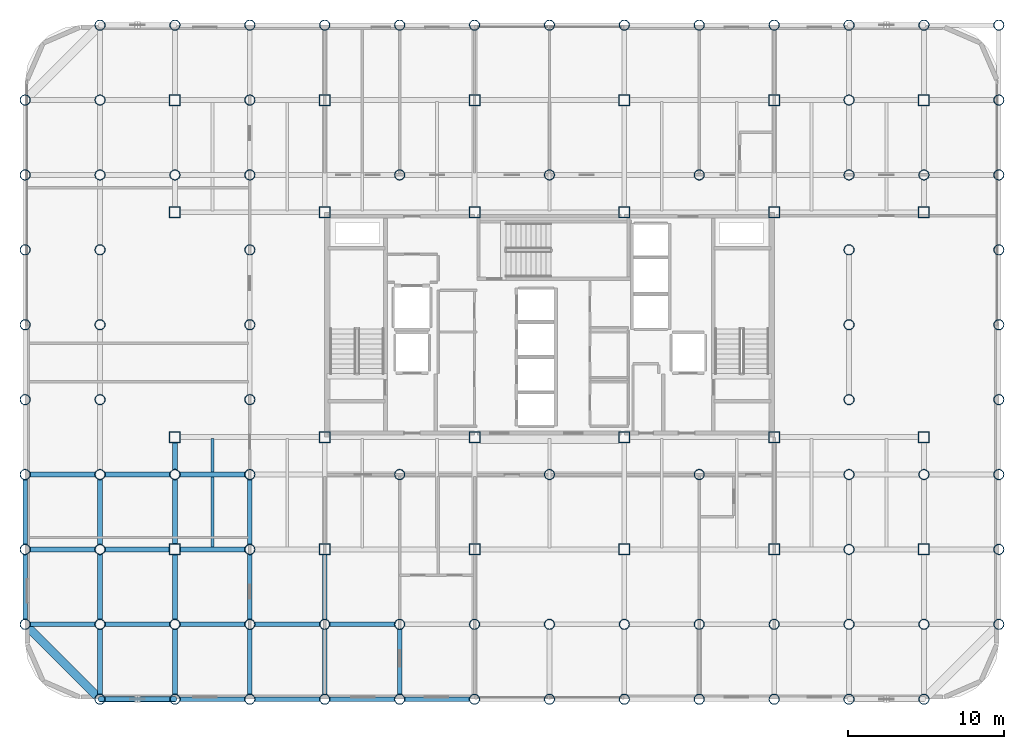
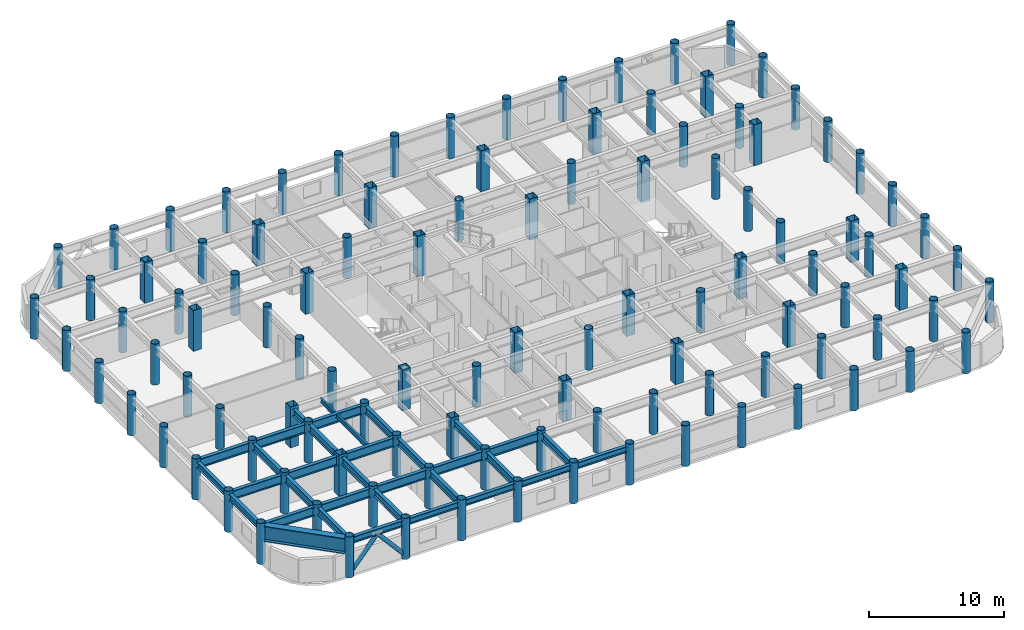
# One storey, part 1 of 20: 108 columns, 33 beams, 2 members.
"""IFC4 building model written with IfcOpenShell, lengths in metres."""

from ifc_helpers import new_model, si_unit, direction, frame, origin, origin_2d, place, context, subcontext, project, spatial, hollow_rectangle, hollow_circle, i_section, extrude, material, material_profile, profile_set, type_object, element, save


model = new_model("IFC4")

# Units and contexts
model_context = context("Model", 3, precision=1e-05, world=origin(), true_north=direction((0.0, 1.0)))
body_context = subcontext(model_context, "Body", "Model", "MODEL_VIEW")
ifc_project = project(units=[si_unit("LENGTHUNIT", "METRE"), si_unit("AREAUNIT", "SQUARE_METRE"), si_unit("VOLUMEUNIT", "CUBIC_METRE"), si_unit("PLANEANGLEUNIT", "RADIAN"), si_unit("MASSUNIT", "GRAM", prefix="KILO")], contexts=[model_context])

# Site, building, storey
site_placement = place(None, origin())
site = spatial("IfcSite", under=ifc_project, at=site_placement, CompositionType="ELEMENT")
building_placement = place(site_placement, origin())
building = spatial("IfcBuilding", under=site, at=building_placement, Name="Kallvorn Hotel Tower", CompositionType="ELEMENT")
storey_placement = place(building_placement, frame((0.0, 0.0, 176.60009765625)))
storey = spatial("IfcBuildingStorey", under=building, at=storey_placement, Name="L44", CompositionType="ELEMENT", Elevation=176.60009765625)

# Columns
ifc_material_1 = material(Name="Structural steel S355J2H", Category="steel")
ifc_material_profile_1 = material_profile(ifc_material_1, hollow_circle(Radius=0.330078125, WallThickness=0.028076171875, at=origin_2d()), Name="CHS 660x28")
ifc_profile_set_1 = profile_set([ifc_material_profile_1], Name="Structural steel S355J2H")
column_type_1 = type_object("IfcColumnType", Name="COL_CHS_660", PredefinedType="COLUMN", material=ifc_profile_set_1)
for number, where, z_axis, x_axis, name in (
    (1, (-33.60009765625, -19.199951171875, 0.0), (0.0, 0.0, 1.0), (1.0, 0.0, 0.0), "L44 Exoskeleton Column EC01"),
    (2, (-33.60009765625, -14.39990234375, 0.0), (0.0, 0.0, 1.0), (1.0, 0.0, 0.0), "L44 Exoskeleton Column EC02"),
    (3, (-33.60009765625, -9.60009765625, 0.0), (0.0, 0.0, 1.0), (1.0, 0.0, 0.0), "L44 Exoskeleton Column EC03"),
    (4, (-33.60009765625, -4.800048828125, 0.0), (0.0, 0.0, 1.0), (1.0, 0.0, 0.0), "L44 Exoskeleton Column EC04"),
    (5, (-33.60009765625, 0.0, 0.0), (0.0, 0.0, 1.0), (1.0, 0.0, 0.0), "L44 Exoskeleton Column EC05"),
    (6, (-33.60009765625, 4.800048828125, 0.0), (0.0, 0.0, 1.0), (1.0, 0.0, 0.0), "L44 Exoskeleton Column EC06"),
    (7, (-33.60009765625, 9.60009765625, 0.0), (0.0, 0.0, 1.0), (1.0, 0.0, 0.0), "L44 Exoskeleton Column EC07"),
    (8, (-33.60009765625, 14.39990234375, 0.0), (0.0, 0.0, 1.0), (1.0, 0.0, 0.0), "L44 Exoskeleton Column EC08"),
    (9, (-28.800048828125, -24.0, 0.0), (0.0, 0.0, 1.0), (1.0, 0.0, 0.0), "L44 Exoskeleton Column EC09"),
    (10, (-28.800048828125, -19.199951171875, 0.0), (0.0, 0.0, 1.0), (1.0, 0.0, 0.0), "L44 Exoskeleton Column EC10"),
    (11, (-28.800048828125, -14.39990234375, 0.0), (0.0, 0.0, 1.0), (1.0, 0.0, 0.0), "L44 Exoskeleton Column EC11"),
    (12, (-28.800048828125, -9.60009765625, 0.0), (0.0, 0.0, 1.0), (1.0, 0.0, 0.0), "L44 Exoskeleton Column EC12"),
    (13, (-28.800048828125, -4.800048828125, 0.0), (0.0, 0.0, 1.0), (1.0, 0.0, 0.0), "L44 Exoskeleton Column EC13"),
    (14, (-28.800048828125, 0.0, 0.0), (0.0, 0.0, 1.0), (1.0, 0.0, 0.0), "L44 Exoskeleton Column EC14"),
    (15, (-28.800048828125, 4.800048828125, 0.0), (0.0, 0.0, 1.0), (1.0, 0.0, 0.0), "L44 Exoskeleton Column EC15"),
    (16, (-28.800048828125, 9.60009765625, 0.0), (0.0, 0.0, 1.0), (1.0, 0.0, 0.0), "L44 Exoskeleton Column EC16"),
    (17, (-28.800048828125, 14.39990234375, 0.0), (0.0, 0.0, 1.0), (1.0, 0.0, 0.0), "L44 Exoskeleton Column EC17"),
    (18, (-28.800048828125, 19.199951171875, 0.0), (0.0, 0.0, 1.0), (1.0, 0.0, 0.0), "L44 Exoskeleton Column EC18"),
    (19, (-24.0, -24.0, 0.0), (0.0, 0.0, 1.0), (1.0, 0.0, 0.0), "L44 Exoskeleton Column EC19"),
    (20, (-24.0, -19.199951171875, 0.0), (0.0, 0.0, 1.0), (1.0, 0.0, 0.0), "L44 Exoskeleton Column EC20"),
    (21, (-24.0, -9.60009765625, 0.0), (0.0, 0.0, 1.0), (1.0, 0.0, 0.0), "L44 Exoskeleton Column EC21"),
    (22, (-24.0, 9.60009765625, 0.0), (0.0, 0.0, 1.0), (1.0, 0.0, 0.0), "L44 Exoskeleton Column EC22"),
    (23, (-24.0, 19.199951171875, 0.0), (0.0, 0.0, 1.0), (1.0, 0.0, 0.0), "L44 Exoskeleton Column EC23"),
    (24, (-19.199951171875, -24.0, 0.0), (0.0, 0.0, 1.0), (1.0, 0.0, 0.0), "L44 Exoskeleton Column EC24"),
    (25, (-19.199951171875, -19.199951171875, 0.0), (0.0, 0.0, 1.0), (1.0, 0.0, 0.0), "L44 Exoskeleton Column EC25"),
    (26, (-19.199951171875, -14.39990234375, 0.0), (0.0, 0.0, 1.0), (1.0, 0.0, 0.0), "L44 Exoskeleton Column EC26"),
    (27, (-19.199951171875, -9.60009765625, 0.0), (0.0, 0.0, 1.0), (1.0, 0.0, 0.0), "L44 Exoskeleton Column EC27"),
    (28, (-19.199951171875, -4.800048828125, 0.0), (0.0, 0.0, 1.0), (1.0, 0.0, 0.0), "L44 Exoskeleton Column EC28"),
    (29, (-19.199951171875, 0.0, 0.0), (0.0, 0.0, 1.0), (1.0, 0.0, 0.0), "L44 Exoskeleton Column EC29"),
    (30, (-19.199951171875, 4.800048828125, 0.0), (0.0, 0.0, 1.0), (1.0, 0.0, 0.0), "L44 Exoskeleton Column EC30"),
    (31, (-19.199951171875, 9.60009765625, 0.0), (0.0, 0.0, 1.0), (1.0, 0.0, 0.0), "L44 Exoskeleton Column EC31"),
    (32, (-19.199951171875, 14.39990234375, 0.0), (0.0, 0.0, 1.0), (1.0, 0.0, 0.0), "L44 Exoskeleton Column EC32"),
    (33, (-19.199951171875, 19.199951171875, 0.0), (0.0, 0.0, 1.0), (1.0, 0.0, 0.0), "L44 Exoskeleton Column EC33"),
    (34, (-14.39990234375, -24.0, 0.0), (0.0, 0.0, 1.0), (1.0, 0.0, 0.0), "L44 Exoskeleton Column EC34"),
    (35, (-14.39990234375, -19.199951171875, 0.0), (0.0, 0.0, 1.0), (1.0, 0.0, 0.0), "L44 Exoskeleton Column EC35"),
    (36, (-14.39990234375, 19.199951171875, 0.0), (0.0, 0.0, 1.0), (1.0, 0.0, 0.0), "L44 Exoskeleton Column EC36"),
    (37, (-9.60009765625, -24.0, 0.0), (0.0, 0.0, 1.0), (1.0, 0.0, 0.0), "L44 Exoskeleton Column EC37"),
    (38, (-9.60009765625, -19.199951171875, 0.0), (0.0, 0.0, 1.0), (1.0, 0.0, 0.0), "L44 Exoskeleton Column EC38"),
    (39, (-9.60009765625, -9.60009765625, 0.0), (0.0, 0.0, 1.0), (1.0, 0.0, 0.0), "L44 Exoskeleton Column EC39"),
    (40, (-9.60009765625, 9.60009765625, 0.0), (0.0, 0.0, 1.0), (1.0, 0.0, 0.0), "L44 Exoskeleton Column EC40"),
    (41, (-9.60009765625, 19.199951171875, 0.0), (0.0, 0.0, 1.0), (1.0, 0.0, 0.0), "L44 Exoskeleton Column EC41"),
    (42, (-4.800048828125, -24.0, 0.0), (0.0, 0.0, 1.0), (1.0, 0.0, 0.0), "L44 Exoskeleton Column EC42"),
    (43, (-4.800048828125, -19.199951171875, 0.0), (0.0, 0.0, 1.0), (1.0, 0.0, 0.0), "L44 Exoskeleton Column EC43"),
    (44, (-4.800048828125, 19.199951171875, 0.0), (0.0, 0.0, 1.0), (1.0, 0.0, 0.0), "L44 Exoskeleton Column EC44"),
    (45, (0.0, -24.0, 0.0), (0.0, 0.0, 1.0), (1.0, 0.0, 0.0), "L44 Exoskeleton Column EC45"),
    (46, (0.0, -19.199951171875, 0.0), (0.0, 0.0, 1.0), (1.0, 0.0, 0.0), "L44 Exoskeleton Column EC46"),
    (47, (0.0, -9.60009765625, 0.0), (0.0, 0.0, 1.0), (1.0, 0.0, 0.0), "L44 Exoskeleton Column EC47"),
    (48, (0.0, 9.60009765625, 0.0), (0.0, 0.0, 1.0), (1.0, 0.0, 0.0), "L44 Exoskeleton Column EC48"),
    (49, (0.0, 19.199951171875, 0.0), (0.0, 0.0, 1.0), (1.0, 0.0, 0.0), "L44 Exoskeleton Column EC49"),
    (50, (4.800048828125, -24.0, 0.0), (0.0, 0.0, 1.0), (1.0, 0.0, 0.0), "L44 Exoskeleton Column EC50"),
    (51, (4.800048828125, -19.199951171875, 0.0), (0.0, 0.0, 1.0), (1.0, 0.0, 0.0), "L44 Exoskeleton Column EC51"),
    (52, (4.800048828125, 19.199951171875, 0.0), (0.0, 0.0, 1.0), (1.0, 0.0, 0.0), "L44 Exoskeleton Column EC52"),
    (53, (9.60009765625, -24.0, 0.0), (0.0, 0.0, 1.0), (1.0, 0.0, 0.0), "L44 Exoskeleton Column EC53"),
    (54, (9.60009765625, -19.199951171875, 0.0), (0.0, 0.0, 1.0), (1.0, 0.0, 0.0), "L44 Exoskeleton Column EC54"),
    (55, (9.60009765625, -9.60009765625, 0.0), (0.0, 0.0, 1.0), (1.0, 0.0, 0.0), "L44 Exoskeleton Column EC55"),
    (56, (9.60009765625, 9.60009765625, 0.0), (0.0, 0.0, 1.0), (1.0, 0.0, 0.0), "L44 Exoskeleton Column EC56"),
    (57, (9.60009765625, 19.199951171875, 0.0), (0.0, 0.0, 1.0), (1.0, 0.0, 0.0), "L44 Exoskeleton Column EC57"),
    (58, (14.39990234375, -24.0, 0.0), (0.0, 0.0, 1.0), (1.0, 0.0, 0.0), "L44 Exoskeleton Column EC58"),
    (59, (14.39990234375, -19.199951171875, 0.0), (0.0, 0.0, 1.0), (1.0, 0.0, 0.0), "L44 Exoskeleton Column EC59"),
    (60, (14.39990234375, 19.199951171875, 0.0), (0.0, 0.0, 1.0), (1.0, 0.0, 0.0), "L44 Exoskeleton Column EC60"),
    (61, (19.199951171875, -24.0, 0.0), (0.0, 0.0, 1.0), (1.0, 0.0, 0.0), "L44 Exoskeleton Column EC61"),
    (62, (19.199951171875, -19.199951171875, 0.0), (0.0, 0.0, 1.0), (1.0, 0.0, 0.0), "L44 Exoskeleton Column EC62"),
    (63, (19.199951171875, -14.39990234375, 0.0), (0.0, 0.0, 1.0), (1.0, 0.0, 0.0), "L44 Exoskeleton Column EC63"),
    (64, (19.199951171875, -9.60009765625, 0.0), (0.0, 0.0, 1.0), (1.0, 0.0, 0.0), "L44 Exoskeleton Column EC64"),
    (65, (19.199951171875, -4.800048828125, 0.0), (0.0, 0.0, 1.0), (1.0, 0.0, 0.0), "L44 Exoskeleton Column EC65"),
    (66, (19.199951171875, 0.0, 0.0), (0.0, 0.0, 1.0), (1.0, 0.0, 0.0), "L44 Exoskeleton Column EC66"),
    (67, (19.199951171875, 4.800048828125, 0.0), (0.0, 0.0, 1.0), (1.0, 0.0, 0.0), "L44 Exoskeleton Column EC67"),
    (68, (19.199951171875, 9.60009765625, 0.0), (0.0, 0.0, 1.0), (1.0, 0.0, 0.0), "L44 Exoskeleton Column EC68"),
    (69, (19.199951171875, 14.39990234375, 0.0), (0.0, 0.0, 1.0), (1.0, 0.0, 0.0), "L44 Exoskeleton Column EC69"),
    (70, (19.199951171875, 19.199951171875, 0.0), (0.0, 0.0, 1.0), (1.0, 0.0, 0.0), "L44 Exoskeleton Column EC70"),
    (71, (24.0, -24.0, 0.0), (0.0, 0.0, 1.0), (1.0, 0.0, 0.0), "L44 Exoskeleton Column EC71"),
    (72, (24.0, -19.199951171875, 0.0), (0.0, 0.0, 1.0), (1.0, 0.0, 0.0), "L44 Exoskeleton Column EC72"),
    (73, (24.0, -9.60009765625, 0.0), (0.0, 0.0, 1.0), (1.0, 0.0, 0.0), "L44 Exoskeleton Column EC73"),
    (74, (24.0, 9.60009765625, 0.0), (0.0, 0.0, 1.0), (1.0, 0.0, 0.0), "L44 Exoskeleton Column EC74"),
    (75, (24.0, 19.199951171875, 0.0), (0.0, 0.0, 1.0), (1.0, 0.0, 0.0), "L44 Exoskeleton Column EC75"),
    (76, (28.800048828125, -19.199951171875, 0.0), (0.0, 0.0, 1.0), (1.0, 0.0, 0.0), "L44 Exoskeleton Column EC76"),
    (77, (28.800048828125, -14.39990234375, 0.0), (0.0, 0.0, 1.0), (1.0, 0.0, 0.0), "L44 Exoskeleton Column EC77"),
    (78, (28.800048828125, -9.60009765625, 0.0), (0.0, 0.0, 1.0), (1.0, 0.0, 0.0), "L44 Exoskeleton Column EC78"),
    (79, (28.800048828125, -4.800048828125, 0.0), (0.0, 0.0, 1.0), (1.0, 0.0, 0.0), "L44 Exoskeleton Column EC79"),
    (80, (28.800048828125, 0.0, 0.0), (0.0, 0.0, 1.0), (1.0, 0.0, 0.0), "L44 Exoskeleton Column EC80"),
    (81, (28.800048828125, 4.800048828125, 0.0), (0.0, 0.0, 1.0), (1.0, 0.0, 0.0), "L44 Exoskeleton Column EC81"),
    (82, (28.800048828125, 9.60009765625, 0.0), (0.0, 0.0, 1.0), (1.0, 0.0, 0.0), "L44 Exoskeleton Column EC82"),
    (83, (28.800048828125, 14.39990234375, 0.0), (0.0, 0.0, 1.0), (1.0, 0.0, 0.0), "L44 Exoskeleton Column EC83"),
    (84, (28.800048828125, 19.199951171875, 0.0), (0.0, 0.0, 1.0), (1.0, 0.0, 0.0), "L44 Exoskeleton Column EC84"),
):
    element("IfcColumn", number, at=place(storey_placement, frame(where, z_axis=z_axis, x_axis=x_axis)), inside=storey, type_object=column_type_1, Name=name, PredefinedType="COLUMN", context=body_context, shape_type="SweptSolid", body=[
        extrude(hollow_circle(Radius=0.330078125, WallThickness=0.028076171875, at=origin_2d()), origin(), (0.0, 0.0, 1.0), 3.699951171875),
    ])
ifc_material_2 = material(Name="Structural steel S355J2H", Category="steel")
ifc_material_profile_2 = material_profile(ifc_material_2, hollow_rectangle(XDim=0.699951171875, YDim=0.699951171875, WallThickness=0.031982421875, at=origin_2d()), Name="RHS 700x700x32")
ifc_profile_set_2 = profile_set([ifc_material_profile_2], Name="Structural steel S355J2H")
column_type_2 = type_object("IfcColumnType", Name="COL_RHS_700", PredefinedType="COLUMN", material=ifc_profile_set_2)
for number, where, z_axis, x_axis, name in (
    (85, (-24.0, -14.39990234375, 0.0), (0.0, 0.0, 1.0), (1.0, 0.0, 0.0), "L44 Inner Column IC01"),
    (86, (-24.0, -7.199951171875, 0.0), (0.0, 0.0, 1.0), (1.0, 0.0, 0.0), "L44 Inner Column IC02"),
    (87, (-24.0, 7.199951171875, 0.0), (0.0, 0.0, 1.0), (1.0, 0.0, 0.0), "L44 Inner Column IC03"),
    (88, (-24.0, 14.39990234375, 0.0), (0.0, 0.0, 1.0), (1.0, 0.0, 0.0), "L44 Inner Column IC04"),
    (89, (-14.39990234375, -14.39990234375, 0.0), (0.0, 0.0, 1.0), (1.0, 0.0, 0.0), "L44 Inner Column IC05"),
    (90, (-14.39990234375, -7.199951171875, 0.0), (0.0, 0.0, 1.0), (1.0, 0.0, 0.0), "L44 Inner Column IC06"),
    (91, (-14.39990234375, 7.199951171875, 0.0), (0.0, 0.0, 1.0), (1.0, 0.0, 0.0), "L44 Inner Column IC07"),
    (92, (-14.39990234375, 14.39990234375, 0.0), (0.0, 0.0, 1.0), (1.0, 0.0, 0.0), "L44 Inner Column IC08"),
    (93, (-4.800048828125, -14.39990234375, 0.0), (0.0, 0.0, 1.0), (1.0, 0.0, 0.0), "L44 Inner Column IC09"),
    (94, (-4.800048828125, -7.199951171875, 0.0), (0.0, 0.0, 1.0), (1.0, 0.0, 0.0), "L44 Inner Column IC10"),
    (95, (-4.800048828125, 7.199951171875, 0.0), (0.0, 0.0, 1.0), (1.0, 0.0, 0.0), "L44 Inner Column IC11"),
    (96, (-4.800048828125, 14.39990234375, 0.0), (0.0, 0.0, 1.0), (1.0, 0.0, 0.0), "L44 Inner Column IC12"),
    (97, (4.800048828125, -14.39990234375, 0.0), (0.0, 0.0, 1.0), (1.0, 0.0, 0.0), "L44 Inner Column IC13"),
    (98, (4.800048828125, -7.199951171875, 0.0), (0.0, 0.0, 1.0), (1.0, 0.0, 0.0), "L44 Inner Column IC14"),
    (99, (4.800048828125, 7.199951171875, 0.0), (0.0, 0.0, 1.0), (1.0, 0.0, 0.0), "L44 Inner Column IC15"),
    (100, (4.800048828125, 14.39990234375, 0.0), (0.0, 0.0, 1.0), (1.0, 0.0, 0.0), "L44 Inner Column IC16"),
    (101, (14.39990234375, -14.39990234375, 0.0), (0.0, 0.0, 1.0), (1.0, 0.0, 0.0), "L44 Inner Column IC17"),
    (102, (14.39990234375, -7.199951171875, 0.0), (0.0, 0.0, 1.0), (1.0, 0.0, 0.0), "L44 Inner Column IC18"),
    (103, (14.39990234375, 7.199951171875, 0.0), (0.0, 0.0, 1.0), (1.0, 0.0, 0.0), "L44 Inner Column IC19"),
    (104, (14.39990234375, 14.39990234375, 0.0), (0.0, 0.0, 1.0), (1.0, 0.0, 0.0), "L44 Inner Column IC20"),
    (105, (24.0, -14.39990234375, 0.0), (0.0, 0.0, 1.0), (1.0, 0.0, 0.0), "L44 Inner Column IC21"),
    (106, (24.0, -7.199951171875, 0.0), (0.0, 0.0, 1.0), (1.0, 0.0, 0.0), "L44 Inner Column IC22"),
    (107, (24.0, 7.199951171875, 0.0), (0.0, 0.0, 1.0), (1.0, 0.0, 0.0), "L44 Inner Column IC23"),
    (108, (24.0, 14.39990234375, 0.0), (0.0, 0.0, 1.0), (1.0, 0.0, 0.0), "L44 Inner Column IC24"),
):
    element("IfcColumn", number, at=place(storey_placement, frame(where, z_axis=z_axis, x_axis=x_axis)), inside=storey, type_object=column_type_2, Name=name, PredefinedType="COLUMN", context=body_context, shape_type="SweptSolid", body=[
        extrude(hollow_rectangle(XDim=0.699951171875, YDim=0.699951171875, WallThickness=0.031982421875, at=origin_2d()), origin(), (0.0, 0.0, 1.0), 3.699951171875),
    ])

# Beams
ifc_material_3 = material(Name="Structural steel S355JR", Category="steel")
ifc_material_profile_3 = material_profile(ifc_material_3, i_section(OverallWidth=0.300048828125, OverallDepth=0.550048828125, WebThickness=0.014892578125, FlangeThickness=0.029052734375, at=origin_2d()), Name="HE 550 B")
ifc_profile_set_3 = profile_set([ifc_material_profile_3], Name="Structural steel S355JR")
beam_type_1 = type_object("IfcBeamType", Name="BM_HE550B", PredefinedType="SPANDREL", material=ifc_profile_set_3)
for number, where, z_axis, x_axis, name in (
    (109, (-28.47998046875, -24.0, 3.204833984375), (1.0, 0.0, 0.0), (0.0, 1.0, 0.0), "L45 Perimeter Spandrel 151"),
    (110, (-23.679931640625, -24.0, 3.204833984375), (1.0, 0.0, 0.0), (0.0, 1.0, 0.0), "L45 Perimeter Spandrel 152"),
    (111, (-18.8798828125, -24.0, 3.204833984375), (1.0, 0.0, 0.0), (0.0, 1.0, 0.0), "L45 Perimeter Spandrel 153"),
):
    element("IfcBeam", number, at=place(storey_placement, frame(where, z_axis=z_axis, x_axis=x_axis)), inside=storey, type_object=beam_type_1, Name=name, PredefinedType="SPANDREL", context=body_context, shape_type="SweptSolid", body=[
        extrude(i_section(OverallWidth=0.300048828125, OverallDepth=0.550048828125, WebThickness=0.014892578125, FlangeThickness=0.029052734375, at=origin_2d()), origin(), (0.0, 0.0, 1.0), 4.159912109375),
    ])
beam_1_placement = place(storey_placement, frame((-14.080078125, -24.0, 3.204833984375), z_axis=(1.0, 0.0, 0.0), x_axis=(0.0, 1.0, 0.0)))
element("IfcBeam", 112, at=beam_1_placement, inside=storey, type_object=beam_type_1, Name="L45 Perimeter Spandrel 154", PredefinedType="SPANDREL", context=body_context, shape_type="SweptSolid", body=[
    extrude(i_section(OverallWidth=0.300048828125, OverallDepth=0.550048828125, WebThickness=0.014892578125, FlangeThickness=0.029052734375, at=origin_2d()), origin(), (0.0, 0.0, 1.0), 4.16015625),
])
for number, where, z_axis, x_axis, name in (
    (113, (-9.280029296875, -24.0, 3.204833984375), (1.0, 0.0, 0.0), (0.0, 1.0, 0.0), "L45 Perimeter Spandrel 155"),
    (114, (-33.60009765625, -18.8798828125, 3.204833984375), (0.0, 1.0, 0.0), (-1.0, 0.0, 0.0), "L45 Perimeter Spandrel 174"),
):
    element("IfcBeam", number, at=place(storey_placement, frame(where, z_axis=z_axis, x_axis=x_axis)), inside=storey, type_object=beam_type_1, Name=name, PredefinedType="SPANDREL", context=body_context, shape_type="SweptSolid", body=[
        extrude(i_section(OverallWidth=0.300048828125, OverallDepth=0.550048828125, WebThickness=0.014892578125, FlangeThickness=0.029052734375, at=origin_2d()), origin(), (0.0, 0.0, 1.0), 4.159912109375),
    ])
beam_2_placement = place(storey_placement, frame((-33.60009765625, -14.080078125, 3.204833984375), z_axis=(0.0, 1.0, 0.0), x_axis=(-1.0, 0.0, 0.0)))
element("IfcBeam", 115, at=beam_2_placement, inside=storey, type_object=beam_type_1, Name="L45 Perimeter Spandrel 175", PredefinedType="SPANDREL", context=body_context, shape_type="SweptSolid", body=[
    extrude(i_section(OverallWidth=0.300048828125, OverallDepth=0.550048828125, WebThickness=0.014892578125, FlangeThickness=0.029052734375, at=origin_2d()), origin(), (0.0, 0.0, 1.0), 4.16015625),
])
ifc_material_4 = material(Name="Structural steel S355JR", Category="steel")
ifc_material_profile_4 = material_profile(ifc_material_4, i_section(OverallWidth=0.300048828125, OverallDepth=0.64990234375, WebThickness=0.01611328125, FlangeThickness=0.031005859375, at=origin_2d()), Name="HE 650 B")
ifc_profile_set_4 = profile_set([ifc_material_profile_4], Name="Structural steel S355JR")
beam_type_2 = type_object("IfcBeamType", Name="BM_HE650B", PredefinedType="BEAM", material=ifc_profile_set_4)
beam_3_placement = place(storey_placement, frame((-28.800048828125, -23.695068359375, 3.15478515625), z_axis=(0.0, 1.0, 0.0), x_axis=(-1.0, 0.0, 0.0)))
element("IfcBeam", 116, at=beam_3_placement, inside=storey, type_object=beam_type_2, Name="L45 Primary Y-Girder 73", PredefinedType="BEAM", context=body_context, shape_type="SweptSolid", body=[
    extrude(i_section(OverallWidth=0.300048828125, OverallDepth=0.64990234375, WebThickness=0.01611328125, FlangeThickness=0.031005859375, at=origin_2d()), origin(), (0.0, 0.0, 1.0), 4.190185546875),
])
for number, where, z_axis, x_axis, name in (
    (117, (-28.800048828125, -18.89501953125, 3.15478515625), (0.0, 1.0, 0.0), (-1.0, 0.0, 0.0), "L45 Primary Y-Girder 74"),
    (118, (-28.800048828125, -14.094970703125, 3.15478515625), (0.0, 1.0, 0.0), (-1.0, 0.0, 0.0), "L45 Primary Y-Girder 75"),
):
    element("IfcBeam", number, at=place(storey_placement, frame(where, z_axis=z_axis, x_axis=x_axis)), inside=storey, type_object=beam_type_2, Name=name, PredefinedType="BEAM", context=body_context, shape_type="SweptSolid", body=[
        extrude(i_section(OverallWidth=0.300048828125, OverallDepth=0.64990234375, WebThickness=0.01611328125, FlangeThickness=0.031005859375, at=origin_2d()), origin(), (0.0, 0.0, 1.0), 4.18994140625),
    ])
beam_4_placement = place(storey_placement, frame((-24.0, -23.695068359375, 3.15478515625), z_axis=(0.0, 1.0, 0.0), x_axis=(-1.0, 0.0, 0.0)))
element("IfcBeam", 119, at=beam_4_placement, inside=storey, type_object=beam_type_2, Name="L45 Primary Y-Girder 82", PredefinedType="BEAM", context=body_context, shape_type="SweptSolid", body=[
    extrude(i_section(OverallWidth=0.300048828125, OverallDepth=0.64990234375, WebThickness=0.01611328125, FlangeThickness=0.031005859375, at=origin_2d()), origin(), (0.0, 0.0, 1.0), 4.190185546875),
])
for number, where, z_axis, x_axis, name in (
    (120, (-24.0, -18.89501953125, 3.15478515625), (0.0, 1.0, 0.0), (-1.0, 0.0, 0.0), "L45 Primary Y-Girder 83"),
    (121, (-24.0, -14.074951171875, 3.15478515625), (0.0, 1.0, 0.0), (-1.0, 0.0, 0.0), "L45 Primary Y-Girder 84"),
):
    element("IfcBeam", number, at=place(storey_placement, frame(where, z_axis=z_axis, x_axis=x_axis)), inside=storey, type_object=beam_type_2, Name=name, PredefinedType="BEAM", context=body_context, shape_type="SweptSolid", body=[
        extrude(i_section(OverallWidth=0.300048828125, OverallDepth=0.64990234375, WebThickness=0.01611328125, FlangeThickness=0.031005859375, at=origin_2d()), origin(), (0.0, 0.0, 1.0), 4.169921875),
    ])
beam_5_placement = place(storey_placement, frame((-24.0, -9.294921875, 3.15478515625), z_axis=(0.0, 1.0, 0.0), x_axis=(-1.0, 0.0, 0.0)))
element("IfcBeam", 122, at=beam_5_placement, inside=storey, type_object=beam_type_2, Name="L45 Primary Y-Girder 85", PredefinedType="BEAM", context=body_context, shape_type="SweptSolid", body=[
    extrude(i_section(OverallWidth=0.300048828125, OverallDepth=0.64990234375, WebThickness=0.01611328125, FlangeThickness=0.031005859375, at=origin_2d()), origin(), (0.0, 0.0, 1.0), 1.77001953125),
])
beam_6_placement = place(storey_placement, frame((-19.199951171875, -23.695068359375, 3.15478515625), z_axis=(0.0, 1.0, 0.0), x_axis=(-1.0, 0.0, 0.0)))
element("IfcBeam", 123, at=beam_6_placement, inside=storey, type_object=beam_type_2, Name="L45 Primary Y-Girder 89", PredefinedType="BEAM", context=body_context, shape_type="SweptSolid", body=[
    extrude(i_section(OverallWidth=0.300048828125, OverallDepth=0.64990234375, WebThickness=0.01611328125, FlangeThickness=0.031005859375, at=origin_2d()), origin(), (0.0, 0.0, 1.0), 4.190185546875),
])
for number, where, z_axis, x_axis, name in (
    (124, (-19.199951171875, -18.89501953125, 3.15478515625), (0.0, 1.0, 0.0), (-1.0, 0.0, 0.0), "L45 Primary Y-Girder 90"),
    (125, (-19.199951171875, -14.094970703125, 3.15478515625), (0.0, 1.0, 0.0), (-1.0, 0.0, 0.0), "L45 Primary Y-Girder 91"),
):
    element("IfcBeam", number, at=place(storey_placement, frame(where, z_axis=z_axis, x_axis=x_axis)), inside=storey, type_object=beam_type_2, Name=name, PredefinedType="BEAM", context=body_context, shape_type="SweptSolid", body=[
        extrude(i_section(OverallWidth=0.300048828125, OverallDepth=0.64990234375, WebThickness=0.01611328125, FlangeThickness=0.031005859375, at=origin_2d()), origin(), (0.0, 0.0, 1.0), 4.18994140625),
    ])
beam_7_placement = place(storey_placement, frame((-14.39990234375, -23.695068359375, 3.15478515625), z_axis=(0.0, 1.0, 0.0), x_axis=(-1.0, 0.0, 0.0)))
element("IfcBeam", 126, at=beam_7_placement, inside=storey, type_object=beam_type_2, Name="L45 Primary Y-Girder 98", PredefinedType="BEAM", context=body_context, shape_type="SweptSolid", body=[
    extrude(i_section(OverallWidth=0.300048828125, OverallDepth=0.64990234375, WebThickness=0.01611328125, FlangeThickness=0.031005859375, at=origin_2d()), origin(), (0.0, 0.0, 1.0), 4.190185546875),
])
beam_8_placement = place(storey_placement, frame((-14.39990234375, -18.89501953125, 3.15478515625), z_axis=(0.0, 1.0, 0.0), x_axis=(-1.0, 0.0, 0.0)))
element("IfcBeam", 127, at=beam_8_placement, inside=storey, type_object=beam_type_2, Name="L45 Primary Y-Girder 99", PredefinedType="BEAM", context=body_context, shape_type="SweptSolid", body=[
    extrude(i_section(OverallWidth=0.300048828125, OverallDepth=0.64990234375, WebThickness=0.01611328125, FlangeThickness=0.031005859375, at=origin_2d()), origin(), (0.0, 0.0, 1.0), 4.169921875),
])
beam_9_placement = place(storey_placement, frame((-9.60009765625, -23.695068359375, 3.15478515625), z_axis=(0.0, 1.0, 0.0), x_axis=(-1.0, 0.0, 0.0)))
element("IfcBeam", 128, at=beam_9_placement, inside=storey, type_object=beam_type_2, Name="L45 Primary Y-Girder 103", PredefinedType="BEAM", context=body_context, shape_type="SweptSolid", body=[
    extrude(i_section(OverallWidth=0.300048828125, OverallDepth=0.64990234375, WebThickness=0.01611328125, FlangeThickness=0.031005859375, at=origin_2d()), origin(), (0.0, 0.0, 1.0), 4.190185546875),
])
ifc_material_5 = material(Name="Structural steel S355JR", Category="steel")
ifc_material_profile_5 = material_profile(ifc_material_5, i_section(OverallWidth=0.300048828125, OverallDepth=0.800048828125, WebThickness=0.017578125, FlangeThickness=0.032958984375, at=origin_2d()), Name="HE 800 B")
ifc_profile_set_5 = profile_set([ifc_material_profile_5], Name="Structural steel S355JR")
beam_type_3 = type_object("IfcBeamType", Name="BM_HE800B", PredefinedType="BEAM", material=ifc_profile_set_5)
beam_10_placement = place(storey_placement, frame((-33.294921875, -19.199951171875, 3.079833984375), z_axis=(1.0, 0.0, 0.0), x_axis=(0.0, 1.0, 0.0)))
element("IfcBeam", 129, at=beam_10_placement, inside=storey, type_object=beam_type_3, Name="L45 Primary X-Girder 01", PredefinedType="BEAM", context=body_context, shape_type="SweptSolid", body=[
    extrude(i_section(OverallWidth=0.300048828125, OverallDepth=0.800048828125, WebThickness=0.017578125, FlangeThickness=0.032958984375, at=origin_2d()), origin(), (0.0, 0.0, 1.0), 4.18994140625),
])
for number, where, z_axis, x_axis, name in (
    (130, (-28.4951171875, -19.199951171875, 3.079833984375), (1.0, 0.0, 0.0), (0.0, 1.0, 0.0), "L45 Primary X-Girder 02"),
    (131, (-23.695068359375, -19.199951171875, 3.079833984375), (1.0, 0.0, 0.0), (0.0, 1.0, 0.0), "L45 Primary X-Girder 03"),
):
    element("IfcBeam", number, at=place(storey_placement, frame(where, z_axis=z_axis, x_axis=x_axis)), inside=storey, type_object=beam_type_3, Name=name, PredefinedType="BEAM", context=body_context, shape_type="SweptSolid", body=[
        extrude(i_section(OverallWidth=0.300048828125, OverallDepth=0.800048828125, WebThickness=0.017578125, FlangeThickness=0.032958984375, at=origin_2d()), origin(), (0.0, 0.0, 1.0), 4.190185546875),
    ])
for number, where, z_axis, x_axis, name in (
    (132, (-18.89501953125, -19.199951171875, 3.079833984375), (1.0, 0.0, 0.0), (0.0, 1.0, 0.0), "L45 Primary X-Girder 04"),
    (133, (-14.094970703125, -19.199951171875, 3.079833984375), (1.0, 0.0, 0.0), (0.0, 1.0, 0.0), "L45 Primary X-Girder 05"),
    (134, (-33.294921875, -14.39990234375, 3.079833984375), (1.0, 0.0, 0.0), (0.0, 1.0, 0.0), "L45 Primary X-Girder 14"),
):
    element("IfcBeam", number, at=place(storey_placement, frame(where, z_axis=z_axis, x_axis=x_axis)), inside=storey, type_object=beam_type_3, Name=name, PredefinedType="BEAM", context=body_context, shape_type="SweptSolid", body=[
        extrude(i_section(OverallWidth=0.300048828125, OverallDepth=0.800048828125, WebThickness=0.017578125, FlangeThickness=0.032958984375, at=origin_2d()), origin(), (0.0, 0.0, 1.0), 4.18994140625),
    ])
for number, where, z_axis, x_axis, name in (
    (135, (-28.4951171875, -14.39990234375, 3.079833984375), (1.0, 0.0, 0.0), (0.0, 1.0, 0.0), "L45 Primary X-Girder 15"),
    (136, (-23.675048828125, -14.39990234375, 3.079833984375), (1.0, 0.0, 0.0), (0.0, 1.0, 0.0), "L45 Primary X-Girder 16"),
):
    element("IfcBeam", number, at=place(storey_placement, frame(where, z_axis=z_axis, x_axis=x_axis)), inside=storey, type_object=beam_type_3, Name=name, PredefinedType="BEAM", context=body_context, shape_type="SweptSolid", body=[
        extrude(i_section(OverallWidth=0.300048828125, OverallDepth=0.800048828125, WebThickness=0.017578125, FlangeThickness=0.032958984375, at=origin_2d()), origin(), (0.0, 0.0, 1.0), 4.170166015625),
    ])
beam_11_placement = place(storey_placement, frame((-33.294921875, -9.60009765625, 3.079833984375), z_axis=(1.0, 0.0, 0.0), x_axis=(0.0, 1.0, 0.0)))
element("IfcBeam", 137, at=beam_11_placement, inside=storey, type_object=beam_type_3, Name="L45 Primary X-Girder 24", PredefinedType="BEAM", context=body_context, shape_type="SweptSolid", body=[
    extrude(i_section(OverallWidth=0.300048828125, OverallDepth=0.800048828125, WebThickness=0.017578125, FlangeThickness=0.032958984375, at=origin_2d()), origin(), (0.0, 0.0, 1.0), 4.18994140625),
])
for number, where, z_axis, x_axis, name in (
    (138, (-28.4951171875, -9.60009765625, 3.079833984375), (1.0, 0.0, 0.0), (0.0, 1.0, 0.0), "L45 Primary X-Girder 25"),
    (139, (-23.695068359375, -9.60009765625, 3.079833984375), (1.0, 0.0, 0.0), (0.0, 1.0, 0.0), "L45 Primary X-Girder 26"),
):
    element("IfcBeam", number, at=place(storey_placement, frame(where, z_axis=z_axis, x_axis=x_axis)), inside=storey, type_object=beam_type_3, Name=name, PredefinedType="BEAM", context=body_context, shape_type="SweptSolid", body=[
        extrude(i_section(OverallWidth=0.300048828125, OverallDepth=0.800048828125, WebThickness=0.017578125, FlangeThickness=0.032958984375, at=origin_2d()), origin(), (0.0, 0.0, 1.0), 4.190185546875),
    ])
ifc_material_6 = material(Name="Structural steel S355JR", Category="steel")
ifc_material_profile_6 = material_profile(ifc_material_6, i_section(OverallWidth=0.179931640625, OverallDepth=0.39990234375, WebThickness=0.008544921875, FlangeThickness=0.013427734375, at=origin_2d()), Name="IPE 400")
ifc_profile_set_6 = profile_set([ifc_material_profile_6], Name="Structural steel S355JR")
beam_type_4 = type_object("IfcBeamType", Name="BM_IPE400", PredefinedType="JOIST", material=ifc_profile_set_6)
beam_12_placement = place(storey_placement, frame((-21.60009765625, -14.300048828125, 3.27978515625), z_axis=(0.0, 1.0, 0.0), x_axis=(-1.0, 0.0, 0.0)))
element("IfcBeam", 140, at=beam_12_placement, inside=storey, type_object=beam_type_4, Name="L45 Secondary Composite Joist 192", PredefinedType="JOIST", context=body_context, shape_type="SweptSolid", body=[
    extrude(i_section(OverallWidth=0.179931640625, OverallDepth=0.39990234375, WebThickness=0.008544921875, FlangeThickness=0.013427734375, at=origin_2d()), origin(), (0.0, 0.0, 1.0), 7.0),
])
ifc_material_7 = material(Name="Structural steel S355JR", Category="steel")
ifc_material_profile_7 = material_profile(ifc_material_7, i_section(OverallWidth=0.550048828125, OverallDepth=1.39990234375, WebThickness=0.02490234375, FlangeThickness=0.044921875, at=origin_2d()), Name="PG 1400x550x25x45")
ifc_profile_set_7 = profile_set([ifc_material_profile_7], Name="Structural steel S355JR")
beam_type_5 = type_object("IfcBeamType", Name="BM_PG_1400", PredefinedType="BEAM", material=ifc_profile_set_7)
beam_13_placement = place(storey_placement, frame((-33.373779296875, -19.42626953125, 2.77978515625), z_axis=(0.707106781187, -0.707106781187, 0.0), x_axis=(0.707106781187, 0.707106781187, 0.0)))
element("IfcBeam", 141, at=beam_13_placement, inside=storey, type_object=beam_type_5, Name="L45 Rounded Corner Tie Beam 189", PredefinedType="BEAM", context=body_context, shape_type="SweptSolid", body=[
    extrude(i_section(OverallWidth=0.550048828125, OverallDepth=1.39990234375, WebThickness=0.02490234375, FlangeThickness=0.044921875, at=origin_2d()), origin(), (0.0, 0.0, 1.0), 6.148193359375),
])

# Members
ifc_material_8 = material(Name="Structural steel S355J2H", Category="steel")
ifc_material_profile_8 = material_profile(ifc_material_8, hollow_circle(Radius=0.177734375, WallThickness=0.01416015625, at=origin_2d()), Name="CHS 355.6x14.2")
ifc_profile_set_8 = profile_set([ifc_material_profile_8], Name="Structural steel S355J2H")
member_type = type_object("IfcMemberType", Name="MBR_EXO_CHS355", PredefinedType="BRACE", material=ifc_profile_set_8)
for number, where, z_axis, x_axis, name in (
    (142, (-28.787109375, -24.0, 0.195068359375), (0.65217111297, 0.0, 0.758071790405), (0.0, 1.0, 0.0), "L44 Exoskeleton K-Brace S1A"),
    (143, (-24.012939453125, -24.0, 0.195068359375), (-0.65217111297, 0.0, 0.758071790405), (0.0, -1.0, 0.0), "L44 Exoskeleton K-Brace S1B"),
):
    element("IfcMember", number, at=place(storey_placement, frame(where, z_axis=z_axis, x_axis=x_axis)), inside=storey, type_object=member_type, Name=name, PredefinedType="BRACE", context=body_context, shape_type="SweptSolid", body=[
        extrude(hollow_circle(Radius=0.177734375, WallThickness=0.01416015625, at=origin_2d()), origin(), (0.0, 0.0, 1.0), 3.64013671875),
    ])

save(model, "model.ifc")
